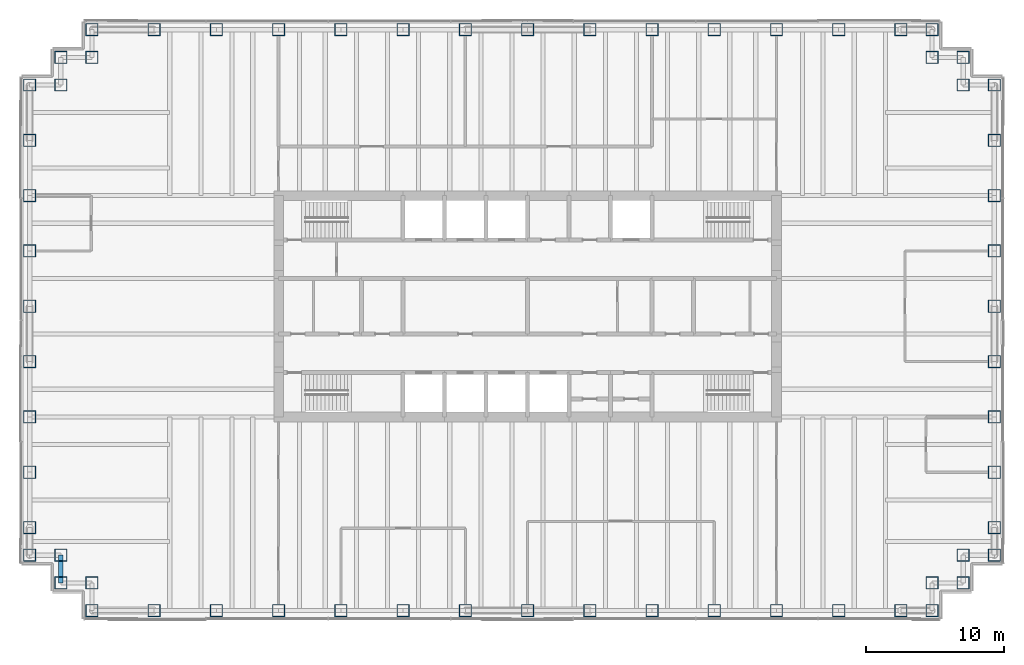
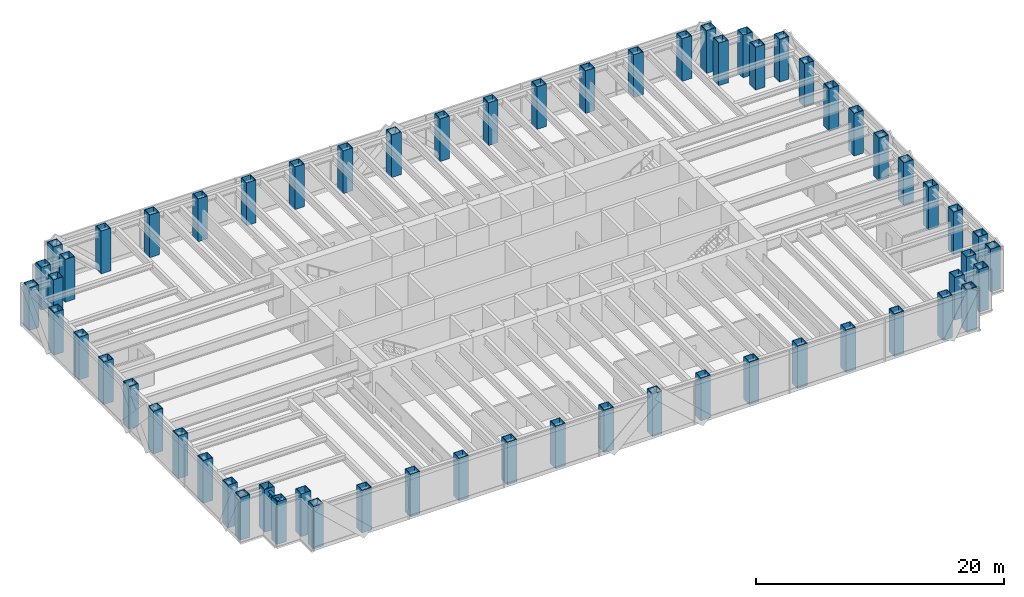
# One storey, part 1 of 15: 62 columns, 1 beam.
"""IFC4 building model written with IfcOpenShell, lengths in metres."""

from ifc_helpers import new_model, si_unit, direction, frame, origin, origin_2d, place, context, subcontext, project, spatial, hollow_rectangle, i_section, extrude, material, material_profile, profile_set, type_object, element, save


model = new_model("IFC4")

# Units and contexts
model_context = context("Model", 3, precision=1e-05, world=origin(), true_north=direction((0.0, 1.0)))
body_context = subcontext(model_context, "Body", "Model", "MODEL_VIEW")
ifc_project = project(units=[si_unit("LENGTHUNIT", "METRE"), si_unit("AREAUNIT", "SQUARE_METRE"), si_unit("VOLUMEUNIT", "CUBIC_METRE"), si_unit("PLANEANGLEUNIT", "RADIAN"), si_unit("MASSUNIT", "GRAM", prefix="KILO")], contexts=[model_context])

# Site, building, storey
site_placement = place(None, origin())
site = spatial("IfcSite", under=ifc_project, at=site_placement, CompositionType="ELEMENT")
building_placement = place(site_placement, origin())
building = spatial("IfcBuilding", under=site, at=building_placement, Name="Rheinbord Bourse Tower", CompositionType="ELEMENT")
storey_placement = place(building_placement, frame((0.0, 0.0, 329.89990234375)))
storey = spatial("IfcBuildingStorey", under=building, at=storey_placement, Name="L75", CompositionType="ELEMENT", Elevation=329.89990234375)

# Columns
ifc_material_1 = material(Name="Steel S460M", Category="steel")
ifc_material_profile_1 = material_profile(ifc_material_1, hollow_rectangle(XDim=0.89990234375, YDim=0.89990234375, WallThickness=0.050048828125, at=origin_2d()), Name="BOX 900x900x50")
ifc_profile_set_1 = profile_set([ifc_material_profile_1], Name="Steel S460M")
column_type = type_object("IfcColumnType", Name="TUBE COLUMN BOX 900x900x50", PredefinedType="COLUMN", material=ifc_profile_set_1)
for number, where, z_axis, x_axis, name in (
    (1, (4.5, 2.0, 0.0), (0.0, 0.0, 1.0), (0.0, 1.0, 0.0), "Column SW-E L75"),
    (2, (9.0, 2.0, 0.0), (0.0, 0.0, 1.0), (0.0, 1.0, 0.0), "Column S-9 L75"),
    (3, (13.5, 2.0, 0.0), (0.0, 0.0, 1.0), (0.0, 1.0, 0.0), "Column S-13.5 L75"),
    (4, (18.0, 2.0, 0.0), (0.0, 0.0, 1.0), (0.0, 1.0, 0.0), "Column S-18 L75"),
    (5, (22.5, 2.0, 0.0), (0.0, 0.0, 1.0), (0.0, 1.0, 0.0), "Column S-22.5 L75"),
    (6, (27.0, 2.0, 0.0), (0.0, 0.0, 1.0), (0.0, 1.0, 0.0), "Column S-27 L75"),
    (7, (31.5, 2.0, 0.0), (0.0, 0.0, 1.0), (0.0, 1.0, 0.0), "Column S-31.5 L75"),
    (8, (36.0, 2.0, 0.0), (0.0, 0.0, 1.0), (0.0, 1.0, 0.0), "Column S-36 L75"),
    (9, (40.5, 2.0, 0.0), (0.0, 0.0, 1.0), (0.0, 1.0, 0.0), "Column S-40.5 L75"),
    (10, (45.0, 2.0, 0.0), (0.0, 0.0, 1.0), (0.0, 1.0, 0.0), "Column S-45 L75"),
    (11, (49.5, 2.0, 0.0), (0.0, 0.0, 1.0), (0.0, 1.0, 0.0), "Column S-49.5 L75"),
    (12, (54.0, 2.0, 0.0), (0.0, 0.0, 1.0), (0.0, 1.0, 0.0), "Column S-54 L75"),
    (13, (58.5, 2.0, 0.0), (0.0, 0.0, 1.0), (0.0, 1.0, 0.0), "Column S-58.5 L75"),
    (14, (63.0, 2.0, 0.0), (0.0, 0.0, 1.0), (0.0, 1.0, 0.0), "Column S-63 L75"),
    (15, (65.25, 2.0, 0.0), (0.0, 0.0, 1.0), (0.0, 1.0, 0.0), "Column SE-E L75"),
    (16, (65.25, 4.0, 0.0), (0.0, 0.0, 1.0), (0.0, 1.0, 0.0), "Column SE-D L75"),
    (17, (67.5, 4.0, 0.0), (0.0, 0.0, 1.0), (1.0, 0.0, 0.0), "Column SE-C L75"),
    (18, (67.5, 6.0, 0.0), (0.0, 0.0, 1.0), (1.0, 0.0, 0.0), "Column SE-B L75"),
    (19, (69.75, 6.0, 0.0), (0.0, 0.0, 1.0), (1.0, 0.0, 0.0), "Column SE-A L75"),
    (20, (69.75, 8.0, 0.0), (0.0, 0.0, 1.0), (1.0, 0.0, 0.0), "Column E-8 L75"),
    (21, (69.75, 12.0, 0.0), (0.0, 0.0, 1.0), (1.0, 0.0, 0.0), "Column E-12 L75"),
    (22, (69.75, 16.0, 0.0), (0.0, 0.0, 1.0), (1.0, 0.0, 0.0), "Column E-16 L75"),
    (23, (69.75, 20.0, 0.0), (0.0, 0.0, 1.0), (1.0, 0.0, 0.0), "Column E-20 L75"),
    (24, (69.75, 24.0, 0.0), (0.0, 0.0, 1.0), (1.0, 0.0, 0.0), "Column E-24 L75"),
    (25, (69.75, 28.0, 0.0), (0.0, 0.0, 1.0), (1.0, 0.0, 0.0), "Column E-28 L75"),
    (26, (69.75, 32.0, 0.0), (0.0, 0.0, 1.0), (1.0, 0.0, 0.0), "Column E-32 L75"),
    (27, (69.75, 36.0, 0.0), (0.0, 0.0, 1.0), (1.0, 0.0, 0.0), "Column E-36 L75"),
    (28, (69.75, 40.0, 0.0), (0.0, 0.0, 1.0), (1.0, 0.0, 0.0), "Column NE-A L75"),
    (29, (67.5, 40.0, 0.0), (0.0, 0.0, 1.0), (1.0, 0.0, 0.0), "Column NE-B L75"),
    (30, (67.5, 42.0, 0.0), (0.0, 0.0, 1.0), (1.0, 0.0, 0.0), "Column NE-C L75"),
    (31, (65.25, 42.0, 0.0), (0.0, 0.0, 1.0), (0.0, 1.0, 0.0), "Column NE-D L75"),
    (32, (65.25, 44.0, 0.0), (0.0, 0.0, 1.0), (0.0, 1.0, 0.0), "Column NE-E L75"),
    (33, (63.0, 44.0, 0.0), (0.0, 0.0, 1.0), (0.0, 1.0, 0.0), "Column N-63 L75"),
    (34, (58.5, 44.0, 0.0), (0.0, 0.0, 1.0), (0.0, 1.0, 0.0), "Column N-58.5 L75"),
    (35, (54.0, 44.0, 0.0), (0.0, 0.0, 1.0), (0.0, 1.0, 0.0), "Column N-54 L75"),
    (36, (49.5, 44.0, 0.0), (0.0, 0.0, 1.0), (0.0, 1.0, 0.0), "Column N-49.5 L75"),
    (37, (45.0, 44.0, 0.0), (0.0, 0.0, 1.0), (0.0, 1.0, 0.0), "Column N-45 L75"),
    (38, (40.5, 44.0, 0.0), (0.0, 0.0, 1.0), (0.0, 1.0, 0.0), "Column N-40.5 L75"),
    (39, (36.0, 44.0, 0.0), (0.0, 0.0, 1.0), (0.0, 1.0, 0.0), "Column N-36 L75"),
    (40, (31.5, 44.0, 0.0), (0.0, 0.0, 1.0), (0.0, 1.0, 0.0), "Column N-31.5 L75"),
    (41, (27.0, 44.0, 0.0), (0.0, 0.0, 1.0), (0.0, 1.0, 0.0), "Column N-27 L75"),
    (42, (22.5, 44.0, 0.0), (0.0, 0.0, 1.0), (0.0, 1.0, 0.0), "Column N-22.5 L75"),
    (43, (18.0, 44.0, 0.0), (0.0, 0.0, 1.0), (0.0, 1.0, 0.0), "Column N-18 L75"),
    (44, (13.5, 44.0, 0.0), (0.0, 0.0, 1.0), (0.0, 1.0, 0.0), "Column N-13.5 L75"),
    (45, (9.0, 44.0, 0.0), (0.0, 0.0, 1.0), (0.0, 1.0, 0.0), "Column N-9 L75"),
    (46, (4.5, 44.0, 0.0), (0.0, 0.0, 1.0), (0.0, 1.0, 0.0), "Column NW-E L75"),
    (47, (4.5, 42.0, 0.0), (0.0, 0.0, 1.0), (0.0, 1.0, 0.0), "Column NW-D L75"),
    (48, (2.25, 42.0, 0.0), (0.0, 0.0, 1.0), (1.0, 0.0, 0.0), "Column NW-C L75"),
    (49, (2.25, 40.0, 0.0), (0.0, 0.0, 1.0), (1.0, 0.0, 0.0), "Column NW-B L75"),
    (50, (0.0, 40.0, 0.0), (0.0, 0.0, 1.0), (1.0, 0.0, 0.0), "Column NW-A L75"),
    (51, (0.0, 36.0, 0.0), (0.0, 0.0, 1.0), (1.0, 0.0, 0.0), "Column W-36 L75"),
    (52, (0.0, 32.0, 0.0), (0.0, 0.0, 1.0), (1.0, 0.0, 0.0), "Column W-32 L75"),
    (53, (0.0, 28.0, 0.0), (0.0, 0.0, 1.0), (1.0, 0.0, 0.0), "Column W-28 L75"),
    (54, (0.0, 24.0, 0.0), (0.0, 0.0, 1.0), (1.0, 0.0, 0.0), "Column W-24 L75"),
    (55, (0.0, 20.0, 0.0), (0.0, 0.0, 1.0), (1.0, 0.0, 0.0), "Column W-20 L75"),
    (56, (0.0, 16.0, 0.0), (0.0, 0.0, 1.0), (1.0, 0.0, 0.0), "Column W-16 L75"),
    (57, (0.0, 12.0, 0.0), (0.0, 0.0, 1.0), (1.0, 0.0, 0.0), "Column W-12 L75"),
    (58, (0.0, 8.0, 0.0), (0.0, 0.0, 1.0), (1.0, 0.0, 0.0), "Column W-8 L75"),
    (59, (0.0, 6.0, 0.0), (0.0, 0.0, 1.0), (1.0, 0.0, 0.0), "Column SW-A L75"),
    (60, (2.25, 6.0, 0.0), (0.0, 0.0, 1.0), (1.0, 0.0, 0.0), "Column SW-B L75"),
    (61, (2.25, 4.0, 0.0), (0.0, 0.0, 1.0), (1.0, 0.0, 0.0), "Column SW-C L75"),
    (62, (4.5, 4.0, 0.0), (0.0, 0.0, 1.0), (0.0, 1.0, 0.0), "Column SW-D L75"),
):
    element("IfcColumn", number, at=place(storey_placement, frame(where, z_axis=z_axis, x_axis=x_axis)), inside=storey, type_object=column_type, Name=name, PredefinedType="COLUMN", context=body_context, shape_type="SweptSolid", body=[
        extrude(hollow_rectangle(XDim=0.89990234375, YDim=0.89990234375, WallThickness=0.050048828125, at=origin_2d()), origin(), (0.0, 0.0, 1.0), 4.2001953125),
    ])

# Beam
ifc_material_2 = material(Name="Steel S460", Category="steel")
ifc_material_profile_2 = material_profile(ifc_material_2, i_section(OverallWidth=0.300048828125, OverallDepth=0.550048828125, WebThickness=0.014892578125, FlangeThickness=0.029052734375, at=origin_2d()), Name="HEB 550")
ifc_profile_set_2 = profile_set([ifc_material_profile_2], Name="Steel S460")
beam_type = type_object("IfcBeamType", Name="SPANDREL HEB 550", PredefinedType="SPANDREL", material=ifc_profile_set_2)
beam_placement = place(storey_placement, frame((2.25, 6.0, 3.675048828125), z_axis=(0.0, -1.0, 0.0), x_axis=(1.0, 0.0, 0.0)))
element("IfcBeam", 63, at=beam_placement, inside=storey, type_object=beam_type, Name="Spandrel SW-B-SW-C under RF", PredefinedType="SPANDREL", context=body_context, shape_type="SweptSolid", body=[
    extrude(i_section(OverallWidth=0.300048828125, OverallDepth=0.550048828125, WebThickness=0.014892578125, FlangeThickness=0.029052734375, at=origin_2d()), origin(), (0.0, 0.0, 1.0), 2.0),
])

save(model, "model.ifc")
